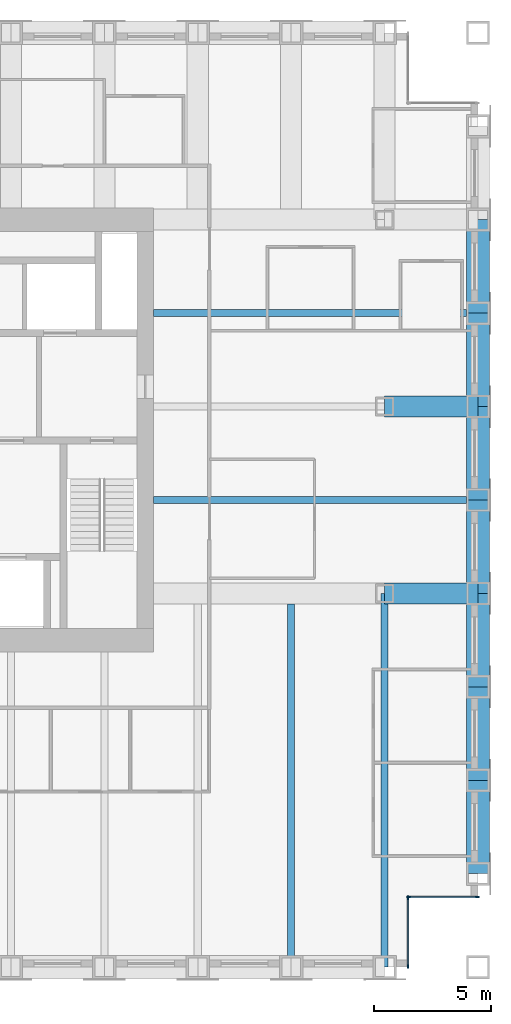
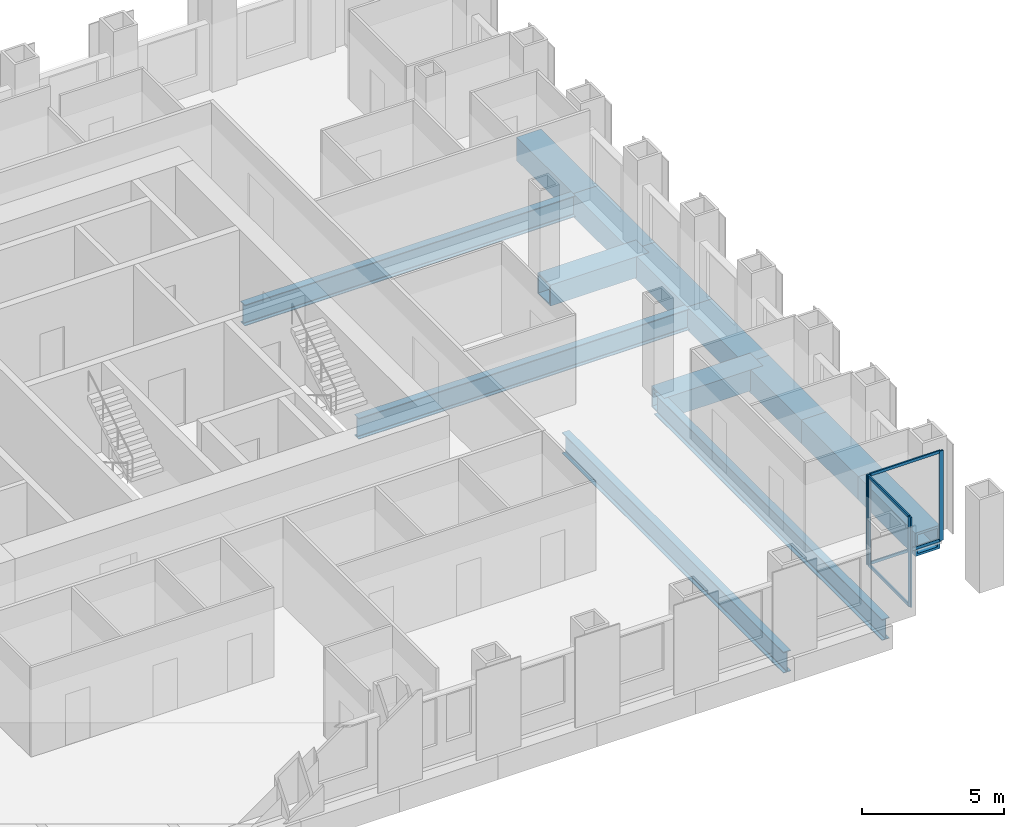
# One storey, part 4 of 13: 13 beams, 8 members, 2 elements without a shape of their own.
"""IFC4 building model written with IfcOpenShell, lengths in metres."""

from ifc_helpers import new_model, si_unit, direction, frame, origin, origin_2d, place, context, subcontext, project, spatial, rectangle, hollow_rectangle, i_section, extrude, material, material_profile, profile_set, type_object, element, aggregate, save


model = new_model("IFC4")

# Units and contexts
model_context = context("Model", 3, precision=1e-05, world=origin(), true_north=direction((0.0, 1.0)))
body_context = subcontext(model_context, "Body", "Model", "MODEL_VIEW")
ifc_project = project(units=[si_unit("LENGTHUNIT", "METRE"), si_unit("AREAUNIT", "SQUARE_METRE"), si_unit("VOLUMEUNIT", "CUBIC_METRE"), si_unit("PLANEANGLEUNIT", "RADIAN"), si_unit("MASSUNIT", "GRAM", prefix="KILO")], contexts=[model_context])

# Site, building, storey
site_placement = place(None, origin())
site = spatial("IfcSite", under=ifc_project, at=site_placement, CompositionType="ELEMENT")
building_placement = place(site_placement, origin())
building = spatial("IfcBuilding", under=site, at=building_placement, Name="Rimbunsela Tower", CompositionType="ELEMENT")
storey_placement = place(building_placement, frame((0.0, 0.0, 262.199951171875)))
storey = spatial("IfcBuildingStorey", under=building, at=storey_placement, Name="L63", CompositionType="ELEMENT", Elevation=262.199951171875)

# Beams
ifc_material_1 = material(Name="Steel BJ 55 (fy 410 MPa)", Category="steel")
ifc_material_profile_1 = material_profile(ifc_material_1, hollow_rectangle(XDim=1.0, YDim=1.0, WallThickness=0.10009765625, at=origin_2d()), Name="BOX 1000x1000x100")
ifc_profile_set_1 = profile_set([ifc_material_profile_1], Name="Steel BJ 55 (fy 410 MPa)")
beam_type_1 = type_object("IfcBeamType", Name="Beam BOX 1000x1000x100", PredefinedType="BEAM", material=ifc_profile_set_1)
for number, where, z_axis, x_axis, name in (
    (1, (50.0, 8.0, -0.64990234375), (0.0, 1.0, 0.0), (-1.0, 0.0, 0.0), "Beam B3 L63"),
    (2, (50.0, 12.0, -0.64990234375), (0.0, 1.0, 0.0), (-1.0, 0.0, 0.0), "Beam B3 L63"),
    (3, (50.0, 16.0, -0.64990234375), (0.0, 1.0, 0.0), (-1.0, 0.0, 0.0), "Beam B3 L63"),
    (4, (50.0, 20.0, -0.64990234375), (0.0, 1.0, 0.0), (-1.0, 0.0, 0.0), "Beam B3 L63"),
    (5, (50.0, 24.0, -0.64990234375), (0.0, 1.0, 0.0), (-1.0, 0.0, 0.0), "Beam B3 L63"),
    (6, (50.0, 28.0, -0.64990234375), (0.0, 1.0, 0.0), (-1.0, 0.0, 0.0), "Beam B3 L63"),
    (7, (50.0, 32.0, -0.64990234375), (0.0, 1.0, 0.0), (-1.0, 0.0, 0.0), "Beam B3 L63"),
):
    element("IfcBeam", number, at=place(storey_placement, frame(where, z_axis=z_axis, x_axis=x_axis)), inside=storey, type_object=beam_type_1, Name=name, PredefinedType="BEAM", context=body_context, shape_type="SweptSolid", body=[
        extrude(hollow_rectangle(XDim=1.0, YDim=1.0, WallThickness=0.10009765625, at=origin_2d()), origin(), (0.0, 0.0, 1.0), 4.0),
    ])
ifc_material_2 = material(Name="Steel BJ 55 (fy 410 MPa)", Category="steel")
ifc_material_profile_2 = material_profile(ifc_material_2, hollow_rectangle(XDim=0.89990234375, YDim=0.89990234375, WallThickness=0.06005859375, at=origin_2d()), Name="BOX 900x900x60")
ifc_profile_set_2 = profile_set([ifc_material_profile_2], Name="Steel BJ 55 (fy 410 MPa)")
beam_type_2 = type_object("IfcBeamType", Name="Beam BOX 900x900x60", PredefinedType="BEAM", material=ifc_profile_set_2)
for number, where, z_axis, x_axis, name in (
    (8, (46.0, 20.0, -0.599853515625), (1.0, 0.0, 0.0), (0.0, 1.0, 0.0), "Beam B1 L63"),
    (9, (46.0, 28.0, -0.599853515625), (1.0, 0.0, 0.0), (0.0, 1.0, 0.0), "Beam B1 L63"),
):
    element("IfcBeam", number, at=place(storey_placement, frame(where, z_axis=z_axis, x_axis=x_axis)), inside=storey, type_object=beam_type_2, Name=name, PredefinedType="BEAM", context=body_context, shape_type="SweptSolid", body=[
        extrude(hollow_rectangle(XDim=0.89990234375, YDim=0.89990234375, WallThickness=0.06005859375, at=origin_2d()), origin(), (0.0, 0.0, 1.0), 4.0),
    ])
ifc_material_3 = material(Name="Steel BJ 55 (fy 410 MPa)", Category="steel")
ifc_material_profile_3 = material_profile(ifc_material_3, i_section(OverallWidth=0.300048828125, OverallDepth=0.89990234375, WebThickness=0.01611328125, FlangeThickness=0.028076171875, FilletRadius=0.028076171875, at=origin_2d()), Name="H 900x300x16x28")
ifc_profile_set_3 = profile_set([ifc_material_profile_3], Name="Steel BJ 55 (fy 410 MPa)")
beam_type_3 = type_object("IfcBeamType", Name="Beam H 900x300x16x28", PredefinedType="BEAM", material=ifc_profile_set_3)
for number, where, z_axis, x_axis, name in (
    (10, (36.10009765625, 24.0, -0.599853515625), (1.0, 0.0, 0.0), (0.0, 1.0, 0.0), "Beam B2 L63"),
    (11, (36.10009765625, 32.0, -0.599853515625), (1.0, 0.0, 0.0), (0.0, 1.0, 0.0), "Beam B2 L63"),
):
    element("IfcBeam", number, at=place(storey_placement, frame(where, z_axis=z_axis, x_axis=x_axis)), inside=storey, type_object=beam_type_3, Name=name, PredefinedType="BEAM", context=body_context, shape_type="SweptSolid", body=[
        extrude(i_section(OverallWidth=0.300048828125, OverallDepth=0.89990234375, WebThickness=0.01611328125, FlangeThickness=0.028076171875, FilletRadius=0.028076171875, at=origin_2d()), origin(), (0.0, 0.0, 1.0), 13.89990234375),
    ])
beam_1_placement = place(storey_placement, frame((42.0, 4.0, -0.599853515625), z_axis=(0.0, 1.0, 0.0), x_axis=(-1.0, 0.0, 0.0)))
element("IfcBeam", 12, at=beam_1_placement, inside=storey, type_object=beam_type_3, Name="Beam B2 L63", PredefinedType="BEAM", context=body_context, shape_type="SweptSolid", body=[
    extrude(i_section(OverallWidth=0.300048828125, OverallDepth=0.89990234375, WebThickness=0.01611328125, FlangeThickness=0.028076171875, FilletRadius=0.028076171875, at=origin_2d()), origin(), (0.0, 0.0, 1.0), 15.550048828125),
])
beam_2_placement = place(storey_placement, frame((46.0, 4.0, -0.599853515625), z_axis=(0.0, 1.0, 0.0), x_axis=(-1.0, 0.0, 0.0)))
element("IfcBeam", 13, at=beam_2_placement, inside=storey, type_object=beam_type_3, Name="Beam B2 L63", PredefinedType="BEAM", context=body_context, shape_type="SweptSolid", body=[
    extrude(i_section(OverallWidth=0.300048828125, OverallDepth=0.89990234375, WebThickness=0.01611328125, FlangeThickness=0.028076171875, FilletRadius=0.028076171875, at=origin_2d()), origin(), (0.0, 0.0, 1.0), 16.0),
])

# Curtain wall, members
ifc_material_4 = material(Name="Aluminium curtain wall", Category="aluminium")
curtain_wall_type = type_object("IfcCurtainWallType", Name="Corner glazing", PredefinedType="USERDEFINED", material=ifc_material_4)
curtain_wall_1_placement = place(storey_placement, origin())
curtain_wall_1 = element("IfcCurtainWall", 14, at=curtain_wall_1_placement, inside=storey, type_object=curtain_wall_type, Name="Corner glazing L63", ObjectType="CORNER GLAZING", PredefinedType="USERDEFINED")
ifc_material_5 = material(Name="Aluminium mullion", Category="aluminium")
ifc_material_profile_4 = material_profile(ifc_material_5, rectangle(XDim=0.06005859375, YDim=0.159912109375, at=origin_2d()), Name="Mullion 60x160")
ifc_profile_set_4 = profile_set([ifc_material_profile_4], Name="Aluminium mullion")
member_type_1 = type_object("IfcMemberType", Name="Curtain wall mullion 60x160", PredefinedType="MULLION", material=ifc_profile_set_4)
member_1_placement = place(storey_placement, frame((47.0, 4.030029296875, 0.0), z_axis=(0.0, 0.0, 1.0), x_axis=(-1.0, 0.0, 0.0)))
member_1 = element("IfcMember", 15, at=member_1_placement, type_object=member_type_1, Name="CW5 mullion 1", PredefinedType="MULLION", context=body_context, shape_type="SweptSolid", body=[
    extrude(rectangle(XDim=0.06005859375, YDim=0.159912109375, at=origin_2d()), origin(), (0.0, 0.0, 1.0), 3.85009765625),
])
member_2_placement = place(storey_placement, frame((47.0, 6.969970703125, 0.0), z_axis=(0.0, 0.0, 1.0), x_axis=(-1.0, 0.0, 0.0)))
member_2 = element("IfcMember", 16, at=member_2_placement, type_object=member_type_1, Name="CW5 mullion 2", PredefinedType="MULLION", context=body_context, shape_type="SweptSolid", body=[
    extrude(rectangle(XDim=0.06005859375, YDim=0.159912109375, at=origin_2d()), origin(), (0.0, 0.0, 1.0), 3.85009765625),
])

curtain_wall_2_placement = place(storey_placement, origin())
curtain_wall_2 = element("IfcCurtainWall", 17, at=curtain_wall_2_placement, inside=storey, type_object=curtain_wall_type, Name="Corner glazing L63", ObjectType="CORNER GLAZING", PredefinedType="USERDEFINED")
member_3_placement = place(storey_placement, frame((47.030029296875, 7.0, 0.0), z_axis=(0.0, 0.0, 1.0), x_axis=(0.0, 1.0, 0.0)))
member_3 = element("IfcMember", 18, at=member_3_placement, type_object=member_type_1, Name="CW5 mullion 1", PredefinedType="MULLION", context=body_context, shape_type="SweptSolid", body=[
    extrude(rectangle(XDim=0.06005859375, YDim=0.159912109375, at=origin_2d()), origin(), (0.0, 0.0, 1.0), 3.85009765625),
])
member_4_placement = place(storey_placement, frame((49.969970703125, 7.0, 0.0), z_axis=(0.0, 0.0, 1.0), x_axis=(0.0, 1.0, 0.0)))
member_4 = element("IfcMember", 19, at=member_4_placement, type_object=member_type_1, Name="CW5 mullion 2", PredefinedType="MULLION", context=body_context, shape_type="SweptSolid", body=[
    extrude(rectangle(XDim=0.06005859375, YDim=0.159912109375, at=origin_2d()), origin(), (0.0, 0.0, 1.0), 3.85009765625),
])

# Member
ifc_material_6 = material(Name="Aluminium transom", Category="aluminium")
ifc_material_profile_5 = material_profile(ifc_material_6, rectangle(XDim=0.06005859375, YDim=0.1201171875, at=origin_2d()), Name="Transom 60x120")
ifc_profile_set_5 = profile_set([ifc_material_profile_5], Name="Aluminium transom")
member_type_2 = type_object("IfcMemberType", Name="Curtain wall transom 60x120", PredefinedType="USERDEFINED", material=ifc_profile_set_5)
member_5_placement = place(storey_placement, frame((47.0, 4.06005859375, 0.030029296875), z_axis=(0.0, 1.0, 0.0), x_axis=(-1.0, 0.0, 0.0)))
member_5 = element("IfcMember", 20, at=member_5_placement, type_object=member_type_2, Name="CW5 transom 1.1", ObjectType="TRANSOM", PredefinedType="USERDEFINED", context=body_context, shape_type="SweptSolid", body=[
    extrude(rectangle(XDim=0.06005859375, YDim=0.1201171875, at=origin_2d()), origin(), (0.0, 0.0, 1.0), 2.8798828125),
])

member_6_placement = place(storey_placement, frame((47.0, 4.06005859375, 3.820068359375), z_axis=(0.0, 1.0, 0.0), x_axis=(-1.0, 0.0, 0.0)))
member_6 = element("IfcMember", 21, at=member_6_placement, type_object=member_type_2, Name="CW5 transom 1.2", ObjectType="TRANSOM", PredefinedType="USERDEFINED", context=body_context, shape_type="SweptSolid", body=[
    extrude(rectangle(XDim=0.06005859375, YDim=0.1201171875, at=origin_2d()), origin(), (0.0, 0.0, 1.0), 2.8798828125),
])

aggregate(curtain_wall_1, [member_1, member_2, member_5, member_6])

member_7_placement = place(storey_placement, frame((47.06005859375, 7.0, 0.030029296875), z_axis=(1.0, 0.0, 0.0), x_axis=(0.0, 1.0, 0.0)))
member_7 = element("IfcMember", 22, at=member_7_placement, type_object=member_type_2, Name="CW5 transom 1.1", ObjectType="TRANSOM", PredefinedType="USERDEFINED", context=body_context, shape_type="SweptSolid", body=[
    extrude(rectangle(XDim=0.06005859375, YDim=0.1201171875, at=origin_2d()), origin(), (0.0, 0.0, 1.0), 2.8798828125),
])

member_8_placement = place(storey_placement, frame((47.06005859375, 7.0, 3.820068359375), z_axis=(1.0, 0.0, 0.0), x_axis=(0.0, 1.0, 0.0)))
member_8 = element("IfcMember", 23, at=member_8_placement, type_object=member_type_2, Name="CW5 transom 1.2", ObjectType="TRANSOM", PredefinedType="USERDEFINED", context=body_context, shape_type="SweptSolid", body=[
    extrude(rectangle(XDim=0.06005859375, YDim=0.1201171875, at=origin_2d()), origin(), (0.0, 0.0, 1.0), 2.8798828125),
])

aggregate(curtain_wall_2, [member_3, member_4, member_7, member_8])

save(model, "model.ifc")
